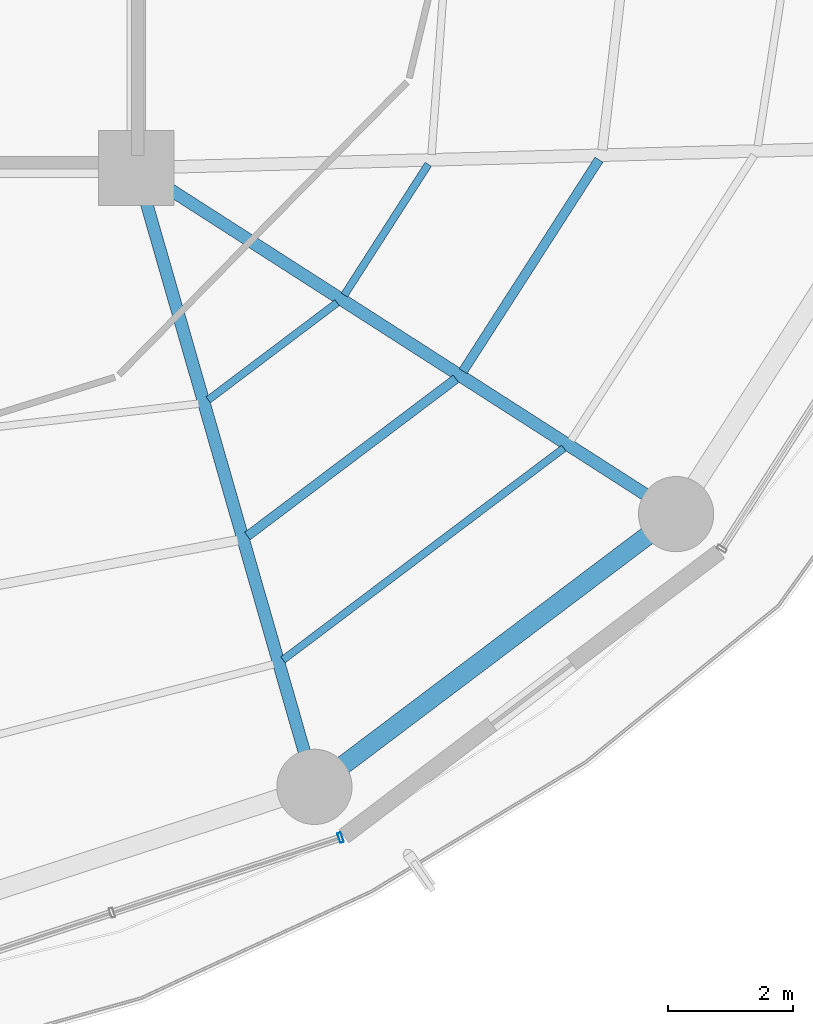
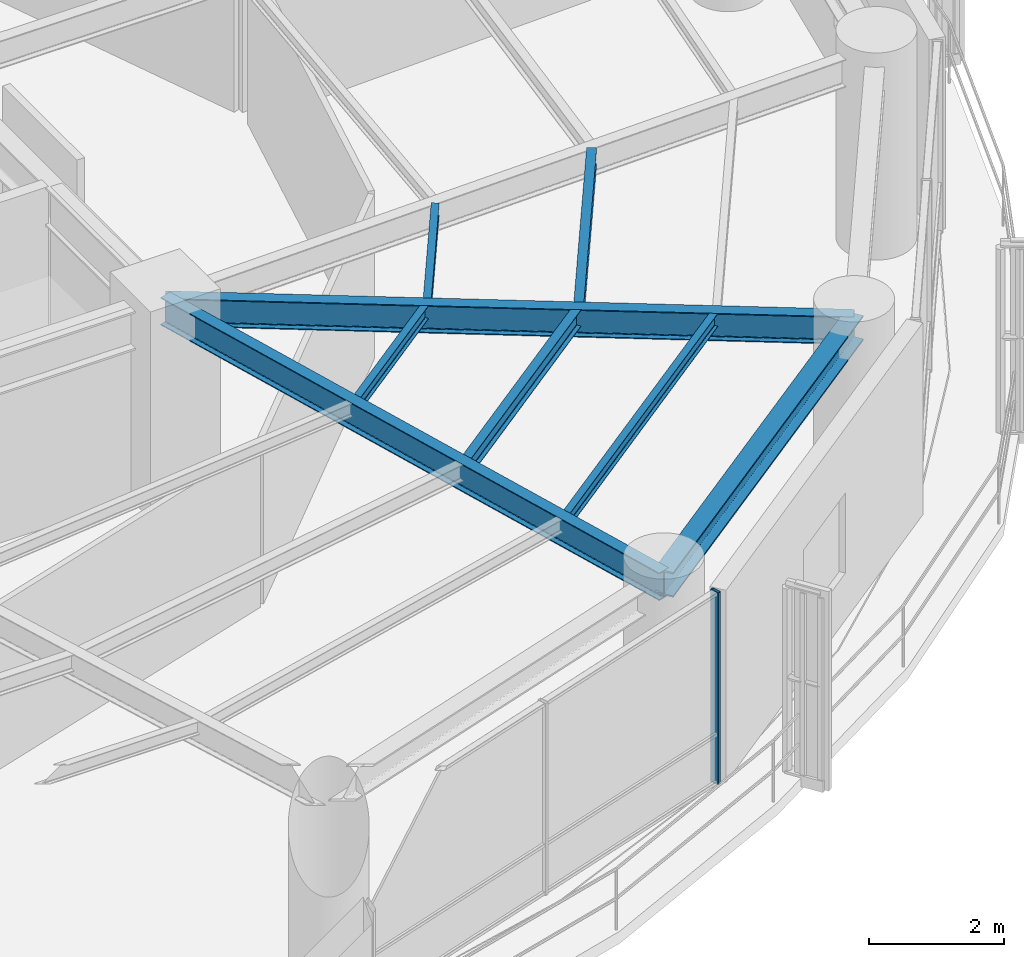
# One storey, part 10 of 27: 8 beams, 1 member, 1 element without a shape of its own.
"""IFC4 building model written with IfcOpenShell, lengths in metres."""

from ifc_helpers import new_model, si_unit, direction, frame, origin, origin_2d, place, context, subcontext, project, spatial, hollow_rectangle, i_section, extrude, material, layer, layer_set, material_profile, profile_set, type_object, element, aggregate, save


model = new_model("IFC4")

# Units and contexts
model_context = context("Model", 3, precision=1e-05, world=origin(), true_north=direction((0.0, 1.0)))
body_context = subcontext(model_context, "Body", "Model", "MODEL_VIEW")
ifc_project = project(units=[si_unit("LENGTHUNIT", "METRE"), si_unit("AREAUNIT", "SQUARE_METRE"), si_unit("VOLUMEUNIT", "CUBIC_METRE"), si_unit("PLANEANGLEUNIT", "RADIAN"), si_unit("MASSUNIT", "GRAM", prefix="KILO")], contexts=[model_context])

# Site, building, storey
site_placement = place(None, origin())
site = spatial("IfcSite", under=ifc_project, at=site_placement, CompositionType="ELEMENT")
building_placement = place(site_placement, origin())
building = spatial("IfcBuilding", under=site, at=building_placement, Name="Kelanora Arch Commons", CompositionType="ELEMENT")
storey_placement = place(building_placement, frame((0.0, 0.0, 165.60009765625)))
storey = spatial("IfcBuildingStorey", under=building, at=storey_placement, Name="L42", CompositionType="ELEMENT", Elevation=165.60009765625)

# Beams
ifc_material_1 = material(Name="Steel S355", Category="steel")
ifc_material_profile_1 = material_profile(ifc_material_1, i_section(OverallWidth=0.14990234375, OverallDepth=0.300048828125, WebThickness=0.007080078125, FlangeThickness=0.0107421875, FilletRadius=0.014892578125, at=origin_2d()), Name="IPE300")
ifc_profile_set_1 = profile_set([ifc_material_profile_1], Name="Steel S355")
beam_type_1 = type_object("IfcBeamType", Name="BM-JST-01", PredefinedType="JOIST", material=ifc_profile_set_1)
beam_1_placement = place(storey_placement, frame((83.77197265625, 45.129150390625, 3.33984375), z_axis=(0.798463547891, 0.602043156833, 0.0), x_axis=(-0.602043156833, 0.798463547891, 0.0)))
element("IfcBeam", 1, at=beam_1_placement, inside=storey, type_object=beam_type_1, Name="Secondary Chord Joist BJB-30 L42", PredefinedType="JOIST", context=body_context, shape_type="SweptSolid", body=[
    extrude(i_section(OverallWidth=0.14990234375, OverallDepth=0.300048828125, WebThickness=0.007080078125, FlangeThickness=0.0107421875, FilletRadius=0.014892578125, at=origin_2d()), origin(), (0.0, 0.0, 1.0), 4.163818359375),
])
beam_2_placement = place(storey_placement, frame((87.210693359375, 47.758544921875, 3.33984375), z_axis=(0.540594434398, 0.841283339606, 0.0), x_axis=(-0.841283339606, 0.540594434398, 0.0)))
element("IfcBeam", 2, at=beam_2_placement, inside=storey, type_object=beam_type_1, Name="Secondary Chord Joist BJB-32 L42", PredefinedType="JOIST", context=body_context, shape_type="SweptSolid", body=[
    extrude(i_section(OverallWidth=0.14990234375, OverallDepth=0.300048828125, WebThickness=0.007080078125, FlangeThickness=0.0107421875, FilletRadius=0.014892578125, at=origin_2d()), origin(), (0.0, 0.0, 1.0), 4.008544921875),
])
ifc_material_profile_2 = material_profile(ifc_material_1, i_section(OverallWidth=0.1201171875, OverallDepth=0.239990234375, WebThickness=0.006103515625, FlangeThickness=0.009765625, FilletRadius=0.014892578125, at=origin_2d()), Name="IPE240")
ifc_profile_set_2 = profile_set([ifc_material_profile_2], Name="Steel S355")
beam_type_2 = type_object("IfcBeamType", Name="BM-JST-02", PredefinedType="JOIST", material=ifc_profile_set_2)
beam_3_placement = place(storey_placement, frame((83.147216796875, 47.300537109375, 3.369873046875), z_axis=(0.798484118859, 0.602015873487, 0.0), x_axis=(-0.602015873487, 0.798484118859, 0.0)))
element("IfcBeam", 3, at=beam_3_placement, inside=storey, type_object=beam_type_2, Name="Secondary Chord Joist BJA-30 L42", PredefinedType="JOIST", context=body_context, shape_type="SweptSolid", body=[
    extrude(i_section(OverallWidth=0.1201171875, OverallDepth=0.239990234375, WebThickness=0.006103515625, FlangeThickness=0.009765625, FilletRadius=0.014892578125, at=origin_2d()), origin(), (0.0, 0.0, 1.0), 2.57470703125),
])
beam_4_placement = place(storey_placement, frame((84.33984375, 43.155029296875, 3.369873046875), z_axis=(0.798493128577, 0.602003923256, 0.0), x_axis=(-0.602003923256, 0.798493128577, 0.0)))
element("IfcBeam", 4, at=beam_4_placement, inside=storey, type_object=beam_type_2, Name="Secondary Chord Joist BJC-30 L42", PredefinedType="JOIST", context=body_context, shape_type="SweptSolid", body=[
    extrude(i_section(OverallWidth=0.1201171875, OverallDepth=0.239990234375, WebThickness=0.006103515625, FlangeThickness=0.009765625, FilletRadius=0.014892578125, at=origin_2d()), origin(), (0.0, 0.0, 1.0), 5.608642578125),
])
beam_5_placement = place(storey_placement, frame((85.31689453125, 48.973388671875, 3.369873046875), z_axis=(0.540583174025, 0.841290575224, 0.0), x_axis=(-0.841290575224, 0.540583174025, 0.0)))
element("IfcBeam", 5, at=beam_5_placement, inside=storey, type_object=beam_type_2, Name="Secondary Chord Joist BJA-32 L42", PredefinedType="JOIST", context=body_context, shape_type="SweptSolid", body=[
    extrude(i_section(OverallWidth=0.1201171875, OverallDepth=0.239990234375, WebThickness=0.006103515625, FlangeThickness=0.009765625, FilletRadius=0.014892578125, at=origin_2d()), origin(), (0.0, 0.0, 1.0), 2.476318359375),
])
ifc_material_profile_3 = material_profile(ifc_material_1, i_section(OverallWidth=0.199951171875, OverallDepth=0.5, WebThickness=0.01025390625, FlangeThickness=0.01611328125, FilletRadius=0.02099609375, at=origin_2d()), Name="IPE500")
ifc_profile_set_3 = profile_set([ifc_material_profile_3], Name="Steel S355")
beam_type_3 = type_object("IfcBeamType", Name="BM-RAD-Z3", PredefinedType="BEAM", material=ifc_profile_set_3)
beam_6_placement = place(storey_placement, frame((82.0, 51.0, 3.239990234375), z_axis=(0.276525880065, -0.961006471182, 0.0), x_axis=(0.961006471182, 0.276525880065, 0.0)))
element("IfcBeam", 6, at=beam_6_placement, inside=storey, type_object=beam_type_3, Name="Radial Floor Girder BR-30 L42", PredefinedType="BEAM", context=body_context, shape_type="SweptSolid", body=[
    extrude(i_section(OverallWidth=0.199951171875, OverallDepth=0.5, WebThickness=0.01025390625, FlangeThickness=0.01611328125, FilletRadius=0.02099609375, at=origin_2d()), origin(), (0.0, 0.0, 1.0), 10.2705078125),
])
beam_7_placement = place(storey_placement, frame((82.0, 51.0, 3.239990234375), z_axis=(0.841719465748, -0.539915123868, 0.0), x_axis=(0.539915123868, 0.841719465748, 0.0)))
element("IfcBeam", 7, at=beam_7_placement, inside=storey, type_object=beam_type_3, Name="Radial Floor Girder BR-32 L42", PredefinedType="BEAM", context=body_context, shape_type="SweptSolid", body=[
    extrude(i_section(OverallWidth=0.199951171875, OverallDepth=0.5, WebThickness=0.01025390625, FlangeThickness=0.01611328125, FilletRadius=0.02099609375, at=origin_2d()), origin(), (0.0, 0.0, 1.0), 10.2265625),
])
ifc_material_profile_4 = material_profile(ifc_material_1, i_section(OverallWidth=0.300048828125, OverallDepth=0.449951171875, WebThickness=0.013916015625, FlangeThickness=0.02587890625, FilletRadius=0.027099609375, at=origin_2d()), Name="HEB450")
ifc_profile_set_4 = profile_set([ifc_material_profile_4], Name="Steel S355")
beam_type_4 = type_object("IfcBeamType", Name="BM-SPN-Z3", PredefinedType="SPANDREL", material=ifc_profile_set_4)
beam_8_placement = place(storey_placement, frame((84.840087890625, 41.1298828125, 3.264892578125), z_axis=(0.798484645564, 0.60201517489, 0.0), x_axis=(-0.60201517489, 0.798484645564, 0.0)))
element("IfcBeam", 8, at=beam_8_placement, inside=storey, type_object=beam_type_4, Name="Perimeter Spandrel Beam BS-30 L42", PredefinedType="SPANDREL", context=body_context, shape_type="SweptSolid", body=[
    extrude(i_section(OverallWidth=0.300048828125, OverallDepth=0.449951171875, WebThickness=0.013916015625, FlangeThickness=0.02587890625, FilletRadius=0.027099609375, at=origin_2d()), origin(), (0.0, 0.0, 1.0), 7.223388671875),
])

# Curtain wall, member
ifc_material_2 = material(Name="Terracotta ceramic-fritted low-E glass and aluminium", Category="masonry")
ifc_layer = layer(ifc_material_2, 0.175048828125)
ifc_layer_set = layer_set([ifc_layer], Name="Terracotta ceramic-fritted low-E glass and aluminium")
curtain_wall_type = type_object("IfcCurtainWallType", Name="CW-SYS-02", PredefinedType="NOTDEFINED", material=ifc_layer_set)
curtain_wall_placement = place(storey_placement, origin())
curtain_wall = element("IfcCurtainWall", 9, at=curtain_wall_placement, inside=storey, type_object=curtain_wall_type, Name="Unitised Curtain Wall L42-B14", PredefinedType="NOTDEFINED")
ifc_material_3 = material(Name="Powder-coated aluminium terracotta", Category="masonry")
ifc_material_profile_5 = material_profile(ifc_material_3, hollow_rectangle(XDim=0.159912109375, YDim=0.06005859375, WallThickness=0.0048828125, InnerFilletRadius=0.0048828125, OuterFilletRadius=0.010009765625, at=origin_2d()), Name="CWM160x60")
ifc_profile_set_5 = profile_set([ifc_material_profile_5], Name="Powder-coated aluminium terracotta")
member_type = type_object("IfcMemberType", Name="CWM-STD", PredefinedType="MULLION", material=ifc_profile_set_5)
member_placement = place(storey_placement, frame((85.257080078125, 40.319091796875, 0.0), z_axis=(0.0, 0.0, 1.0), x_axis=(-0.312128279571, 0.95003996605, 0.0)))
member = element("IfcMember", 10, at=member_placement, type_object=member_type, Name="CW-02 mullion 3", PredefinedType="MULLION", context=body_context, shape_type="SweptSolid", body=[
    extrude(hollow_rectangle(XDim=0.159912109375, YDim=0.06005859375, WallThickness=0.0048828125, InnerFilletRadius=0.0048828125, OuterFilletRadius=0.010009765625, at=origin_2d()), origin(), (0.0, 0.0, 1.0), 3.474853515625),
])
aggregate(curtain_wall, [member])

save(model, "model.ifc")
